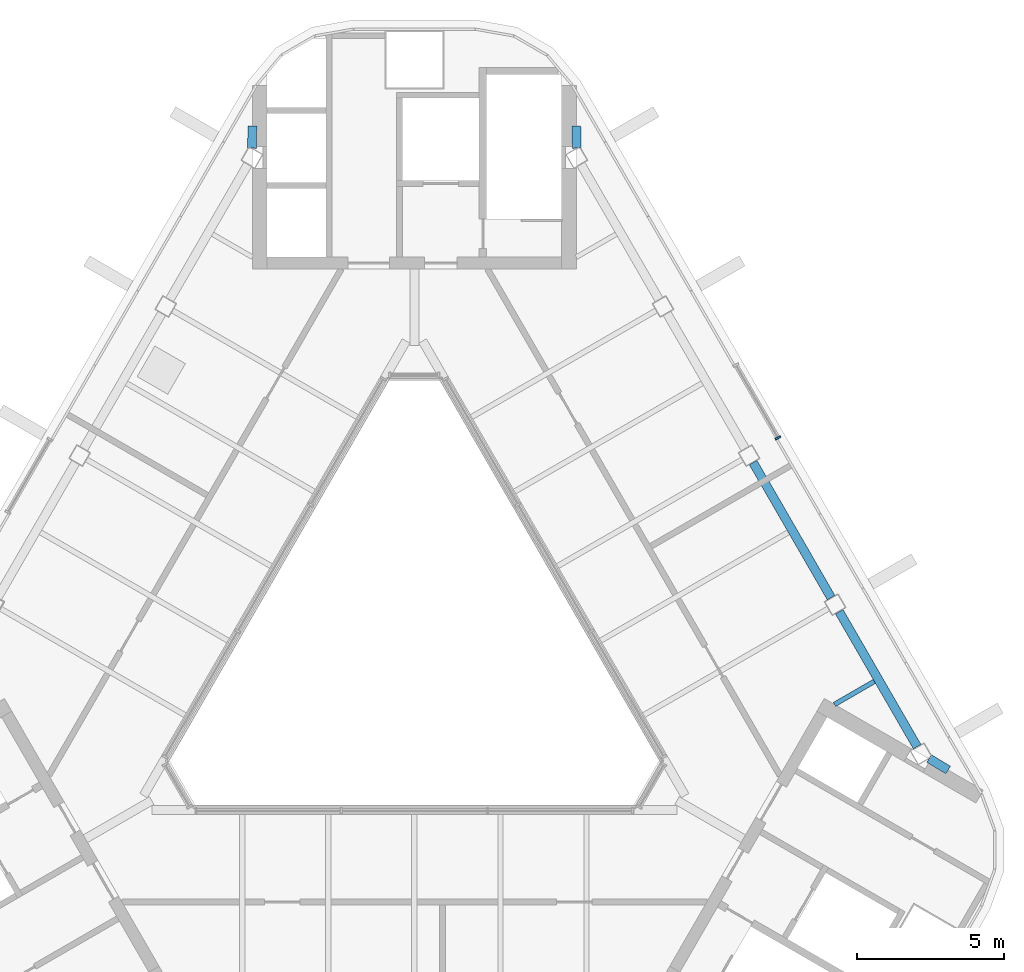
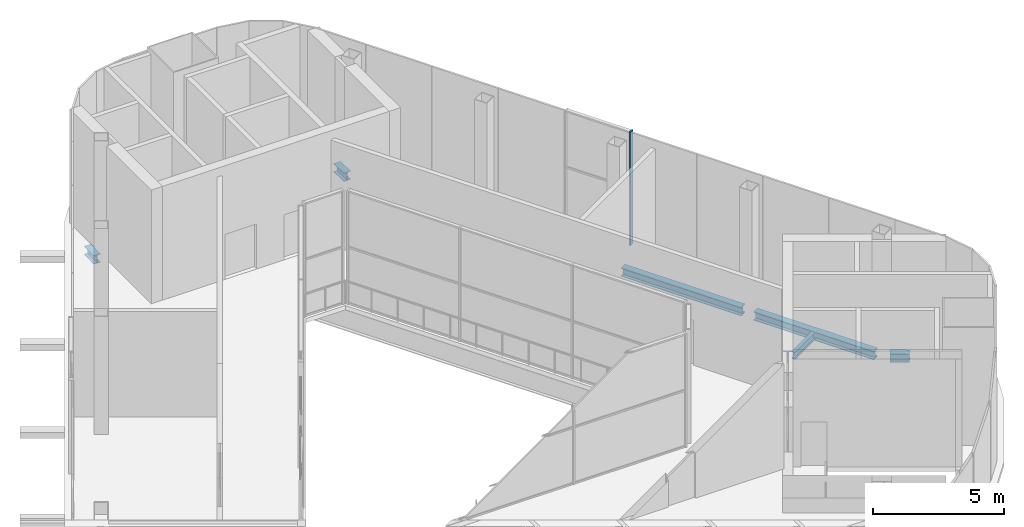
# One storey, part 4 of 9: 6 beams, 1 member, 1 element without a shape of its own.
"""IFC4 building model written with IfcOpenShell, lengths in metres."""

import ifcopenshell
import ifcopenshell.guid

model = None  # the IFC model being written
_history = None  # IfcOwnerHistory: only IFC2X3 demands one
_inside = {}  # id of a spatial element -> (the spatial element, [elements in it])
_under = {}  # id of a project, library or spatial element -> (it, [spatial elements below it])
_declared = {}  # id of a project -> (the project, [libraries it declares])
_typed = {}  # id of a type object -> (the type object, [elements of that type])
_made_of = {}  # id of a material, layer set ... -> (it, [elements and type objects made of it])


def new_model(schema):
    """Start an empty IFC model of exactly this schema.

    Asked for "IFC4X3", IfcOpenShell would pick the latest addendum, in which some entities
    have other attributes; the version numbers below select the first issue.
    IFC2X3 requires an IfcOwnerHistory on every rooted entity: one is made here for all.
    """
    global model, _history
    if schema == "IFC4X3":
        model = ifcopenshell.file(schema_version=(4, 3, 0, 0))
    else:
        model = ifcopenshell.file(schema=schema)
    _inside.clear()
    _under.clear()
    _declared.clear()
    _typed.clear()
    _made_of.clear()
    _history = None
    if model.schema == "IFC2X3":
        org = make("IfcOrganization", Name="unknown")
        user = make(
            "IfcPersonAndOrganization",
            ThePerson=make("IfcPerson", FamilyName="unknown"),
            TheOrganization=org,
        )
        app = make(
            "IfcApplication",
            ApplicationDeveloper=org,
            Version="unknown",
            ApplicationFullName="unknown",
            ApplicationIdentifier="unknown",
        )
        _history = make(
            "IfcOwnerHistory",
            OwningUser=user,
            OwningApplication=app,
            ChangeAction="ADDED",
            CreationDate=0,
        )
    return model


def make(cls, **values):
    """One entity of the class cls with the attributes given. An attribute that is None is left unset."""
    return model.create_entity(
        cls, **{name: value for name, value in values.items() if value is not None}
    )


def rooted(cls, **values):
    """An entity with a GlobalId (a new one), such as an element, a storey or a relation."""
    return make(cls, GlobalId=ifcopenshell.guid.new(), OwnerHistory=_history, **values)


def si_unit(unit_type, name, prefix=None):
    """IfcSIUnit, for example si_unit("LENGTHUNIT", "METRE", prefix="MILLI")."""
    return make("IfcSIUnit", UnitType=unit_type, Prefix=prefix, Name=name)


def assignment(units):
    """IfcUnitAssignment: the units of a project."""
    return None if units is None else make("IfcUnitAssignment", Units=units)


def point(xyz):
    """IfcCartesianPoint."""
    return None if xyz is None else make("IfcCartesianPoint", Coordinates=xyz)


def direction(xyz):
    """IfcDirection."""
    return None if xyz is None else make("IfcDirection", DirectionRatios=xyz)


def frame(location, z_axis=None, x_axis=None):
    """IfcAxis2Placement3D, a coordinate frame: its origin and axes. An axis left out is left unset."""
    return make(
        "IfcAxis2Placement3D",
        Location=point(location),
        Axis=direction(z_axis),
        RefDirection=direction(x_axis),
    )


def frame_2d(location, x_axis=None):
    """IfcAxis2Placement2D, a coordinate frame in the plane: its origin and x axis."""
    return make(
        "IfcAxis2Placement2D", Location=point(location), RefDirection=direction(x_axis)
    )


def origin():
    """The frame at (0, 0, 0) with its axes left unset."""
    return frame((0.0, 0.0, 0.0))


def origin_2d():
    """The frame at (0, 0) in the plane with its x axis left unset."""
    return frame_2d((0.0, 0.0))


def place(relative_to, where):
    """IfcLocalPlacement: puts the frame where relative to a parent placement (None: the world)."""
    return make(
        "IfcLocalPlacement", PlacementRelTo=relative_to, RelativePlacement=where
    )


def context(
    kind, dimensions, precision=None, world=None, true_north=None, identifier=None
):
    """IfcGeometricRepresentationContext, for example the 3D "Model" context."""
    return make(
        "IfcGeometricRepresentationContext",
        ContextIdentifier=identifier,
        ContextType=kind,
        CoordinateSpaceDimension=dimensions,
        Precision=precision,
        WorldCoordinateSystem=world,
        TrueNorth=true_north,
    )


def subcontext(parent, identifier, kind, view, scale=None):
    """IfcGeometricRepresentationSubContext, for example "Body" below "Model"."""
    return make(
        "IfcGeometricRepresentationSubContext",
        ContextIdentifier=identifier,
        ContextType=kind,
        ParentContext=parent,
        TargetScale=scale,
        TargetView=view,
    )


def project(units=None, contexts=None):
    """IfcProject with its units and contexts."""
    return rooted(
        "IfcProject",
        Name="project",
        RepresentationContexts=contexts,
        UnitsInContext=assignment(units),
    )


def spatial(cls, under=None, at=None, **own):
    """A site, building, storey or space (cls), placed at a placement, below another one or the project."""
    s = rooted(cls, ObjectPlacement=at, **own)
    if under is not None:
        _under.setdefault(under.id(), (under, []))[1].append(s)
    return s


def profile(cls, at=None, kind="AREA", **sizes):
    """A parametric profile (cls). Its sizes go by their IFC names, for example OverallWidth=200.0."""
    return make(cls, ProfileType=kind, Position=at, **sizes)


def rectangle(**sizes):
    """IfcRectangleProfileDef."""
    return profile("IfcRectangleProfileDef", **sizes)


def i_section(**sizes):
    """IfcIShapeProfileDef."""
    return profile("IfcIShapeProfileDef", **sizes)


def extrude(swept, where, along, depth):
    """IfcExtrudedAreaSolid: the profile swept, set in the frame where, extruded along a direction by depth."""
    return make(
        "IfcExtrudedAreaSolid",
        SweptArea=swept,
        Position=where,
        ExtrudedDirection=direction(along),
        Depth=depth,
    )


def shape(context_of_items, identifier, shape_type, items):
    """IfcShapeRepresentation: the items that make up one representation, for example the "Body"."""
    return make(
        "IfcShapeRepresentation",
        ContextOfItems=context_of_items,
        RepresentationIdentifier=identifier,
        RepresentationType=shape_type,
        Items=items,
    )


def material(Name=None, Category=None):
    """IfcMaterial."""
    return make("IfcMaterial", Name=Name, Category=Category)


def layer(
    of_material, thickness, ventilated=None, Name=None, Category=None, Priority=None
):
    """IfcMaterialLayer: one layer of a wall or slab, of a material (None: an air gap)."""
    return make(
        "IfcMaterialLayer",
        Material=of_material,
        LayerThickness=thickness,
        IsVentilated=ventilated,
        Name=Name,
        Category=Category,
        Priority=Priority,
    )


def layer_set(layers, Name=None):
    """IfcMaterialLayerSet."""
    return make("IfcMaterialLayerSet", MaterialLayers=layers, LayerSetName=Name)


def material_profile(
    of_material, cross_section, Name=None, Category=None, Priority=None
):
    """IfcMaterialProfile: a cross section and its material."""
    return make(
        "IfcMaterialProfile",
        Name=Name,
        Material=of_material,
        Profile=cross_section,
        Priority=Priority,
        Category=Category,
    )


def profile_set(profiles, Name=None, composite=None):
    """IfcMaterialProfileSet."""
    return make(
        "IfcMaterialProfileSet",
        Name=Name,
        MaterialProfiles=profiles,
        CompositeProfile=composite,
    )


def made_of(thing, what):
    """Note that an element or type object is made of a material, layer set ...; save() writes the relation."""
    if what is not None:
        _made_of.setdefault(what.id(), (what, []))[1].append(thing)
    return thing


def type_object(cls, material=None, **own):
    """A type object (cls), such as IfcWallType, which elements share."""
    return made_of(rooted(cls, **own), material)


def element(
    cls,
    number,
    at=None,
    inside=None,
    cuts=None,
    type_object=None,
    material=None,
    context=None,
    identifier="Body",
    shape_type=None,
    held_by="IfcProductDefinitionShape",
    body=None,
    shapes=None,
    **own,
):
    """One element of the class cls, such as IfcWall. Its Tag is "e" and its number.

    at: its placement. inside: the storey or other place that contains it. cuts: it is an
    opening in that element (IfcRelVoidsElement). A single representation is given by context,
    identifier, shape_type and body (its items); several are given by shapes. held_by: the class
    of the entity that holds the representations. save() writes the other relations.
    """
    e = rooted(cls, Tag="e%d" % number, ObjectPlacement=at, **own)
    if body is not None:
        shapes = [shape(context, identifier, shape_type, body)]
    if shapes is not None:
        e.Representation = make(held_by, Representations=shapes)
    if inside is not None:
        _inside.setdefault(inside.id(), (inside, []))[1].append(e)
    if cuts is not None:
        rooted(
            "IfcRelVoidsElement", RelatingBuildingElement=cuts, RelatedOpeningElement=e
        )
    if type_object is not None:
        _typed.setdefault(type_object.id(), (type_object, []))[1].append(e)
    return made_of(e, material)


def aggregate(whole, parts):
    """IfcRelAggregates: a whole, such as a stair, and the parts it consists of."""
    return rooted("IfcRelAggregates", RelatingObject=whole, RelatedObjects=parts)


def save(model, path):
    """Write the relations noted so far, then the file.

    IfcRelAggregates (storeys below a building ...), IfcRelContainedInSpatialStructure (elements
    in a storey), IfcRelDefinesByType, IfcRelAssociatesMaterial and IfcRelDeclares: one each for
    every whole, place, type object, material and project.
    """
    for whole, parts in _under.values():
        aggregate(whole, parts)
    for where, things in _inside.values():
        rooted(
            "IfcRelContainedInSpatialStructure",
            RelatedElements=things,
            RelatingStructure=where,
        )
    for kind, things in _typed.values():
        rooted("IfcRelDefinesByType", RelatedObjects=things, RelatingType=kind)
    for what, things in _made_of.values():
        rooted("IfcRelAssociatesMaterial", RelatedObjects=things, RelatingMaterial=what)
    for by, libraries in _declared.values():
        rooted("IfcRelDeclares", RelatingContext=by, RelatedDefinitions=libraries)
    model.write(path)


model = new_model("IFC4")

# Units and contexts
model_context = context("Model", 3, precision=1e-05, world=origin(), true_north=direction((0.0, 1.0)))
body_context = subcontext(model_context, "Body", "Model", "MODEL_VIEW")
ifc_project = project(units=[si_unit("LENGTHUNIT", "METRE"), si_unit("AREAUNIT", "SQUARE_METRE"), si_unit("VOLUMEUNIT", "CUBIC_METRE"), si_unit("PLANEANGLEUNIT", "RADIAN"), si_unit("MASSUNIT", "GRAM", prefix="KILO")], contexts=[model_context])

# Site, building, storey
site_placement = place(None, origin())
site = spatial("IfcSite", under=ifc_project, at=site_placement, CompositionType="ELEMENT")
building_placement = place(site_placement, origin())
building = spatial("IfcBuilding", under=site, at=building_placement, Name="Apuvela Tower Hotel", CompositionType="ELEMENT")
storey_placement = place(building_placement, frame((0.0, 0.0, 343.300048828125)))
storey = spatial("IfcBuildingStorey", under=building, at=storey_placement, Name="R-1 ROOF", CompositionType="ELEMENT", Elevation=343.300048828125)

# Curtain wall, member
ifc_material_1 = material(Name="Aluminium 6063-T6, dark bronze anodised", Category="aluminium")
ifc_layer = layer(ifc_material_1, 0.199951171875)
ifc_layer_set = layer_set([ifc_layer], Name="ENV-CW-C")
curtain_wall_type = type_object("IfcCurtainWallType", Name="ENV-CW-C", PredefinedType="NOTDEFINED", material=ifc_layer_set)
curtain_wall_placement = place(storey_placement, origin())
curtain_wall = element("IfcCurtainWall", 1, at=curtain_wall_placement, inside=storey, type_object=curtain_wall_type, Name="Crown glazing 46 R-1 ROOF", PredefinedType="NOTDEFINED")
ifc_material_profile_1 = material_profile(ifc_material_1, rectangle(XDim=0.199951171875, YDim=0.06494140625, at=origin_2d()), Name="AL 65x200")
ifc_profile_set_1 = profile_set([ifc_material_profile_1], Name="Aluminium 6063-T6, dark bronze anodised")
member_type = type_object("IfcMemberType", Name="ENV-MULLION-65x200", PredefinedType="MULLION", material=ifc_profile_set_1)
member_placement = place(storey_placement, frame((12.347412109375, 7.166259765625, 0.0), z_axis=(0.0, 0.0, 1.0), x_axis=(-0.866021760657, -0.500006310028, 0.0)))
member = element("IfcMember", 2, at=member_placement, type_object=member_type, Name="CW-C mullion 1", PredefinedType="MULLION", context=body_context, shape_type="SweptSolid", body=[
    extrude(rectangle(XDim=0.199951171875, YDim=0.06494140625, at=origin_2d()), origin(), (0.0, 0.0, 1.0), 5.300048828125),
])
aggregate(curtain_wall, [member])

# Beams
ifc_material_2 = material(Name="Steel S355", Category="steel")
ifc_material_profile_2 = material_profile(ifc_material_2, i_section(OverallWidth=0.159912109375, OverallDepth=0.330078125, WebThickness=0.007568359375, FlangeThickness=0.011474609375, at=origin_2d()), Name="IPE 330")
ifc_profile_set_2 = profile_set([ifc_material_profile_2], Name="Steel S355")
beam_type_1 = type_object("IfcBeamType", Name="STR-B floor beam IPE 330", PredefinedType="BEAM", material=ifc_profile_set_2)
beam_1_placement = place(storey_placement, frame((15.622314453125, -1.106201171875, -0.364990234375), z_axis=(-0.866042488821, -0.49997040668, 0.0), x_axis=(0.49997040668, -0.866042488821, 0.0)))
element("IfcBeam", 3, at=beam_1_placement, inside=storey, type_object=beam_type_1, Name="Floor beam B1 NE2", PredefinedType="BEAM", context=body_context, shape_type="SweptSolid", body=[
    extrude(i_section(OverallWidth=0.159912109375, OverallDepth=0.330078125, WebThickness=0.007568359375, FlangeThickness=0.011474609375, at=origin_2d()), origin(), (0.0, 0.0, 1.0), 1.5625),
])
ifc_material_profile_3 = material_profile(ifc_material_2, i_section(OverallWidth=0.300048828125, OverallDepth=0.389892578125, WebThickness=0.010986328125, FlangeThickness=0.01904296875, at=origin_2d()), Name="HE 400 A")
ifc_profile_set_3 = profile_set([ifc_material_profile_3], Name="Steel S355")
beam_type_2 = type_object("IfcBeamType", Name="STR-SB spandrel beam HE 400 A", PredefinedType="SPANDREL", material=ifc_profile_set_3)
beam_2_placement = place(storey_placement, frame((17.076171875, -3.32421875, -0.39501953125), z_axis=(-0.500031041629, 0.86600748115, 0.0), x_axis=(-0.86600748115, -0.500031041629, 0.0)))
element("IfcBeam", 4, at=beam_2_placement, inside=storey, type_object=beam_type_2, Name="Spandrel beam SB4 NE1", PredefinedType="SPANDREL", context=body_context, shape_type="SweptSolid", body=[
    extrude(i_section(OverallWidth=0.300048828125, OverallDepth=0.389892578125, WebThickness=0.010986328125, FlangeThickness=0.01904296875, at=origin_2d()), origin(), (0.0, 0.0, 1.0), 5.296142578125),
])
beam_3_placement = place(storey_placement, frame((14.153076171875, 1.738525390625, -0.39501953125), z_axis=(-0.499996467947, 0.866027443007, 0.0), x_axis=(-0.866027443007, -0.499996467947, 0.0)))
element("IfcBeam", 5, at=beam_3_placement, inside=storey, type_object=beam_type_2, Name="Spandrel beam SB4 NE2", PredefinedType="SPANDREL", context=body_context, shape_type="SweptSolid", body=[
    extrude(i_section(OverallWidth=0.300048828125, OverallDepth=0.389892578125, WebThickness=0.010986328125, FlangeThickness=0.01904296875, at=origin_2d()), origin(), (0.0, 0.0, 1.0), 5.2958984375),
])
beam_4_placement = place(storey_placement, frame((17.482421875, -3.724853515625, -0.39501953125), z_axis=(0.855658607708, -0.517540671884, 0.0), x_axis=(0.517540671884, 0.855658607708, 0.0)))
element("IfcBeam", 6, at=beam_4_placement, inside=storey, type_object=beam_type_2, Name="Spandrel beam SB4 NE1-SE", PredefinedType="SPANDREL", context=body_context, shape_type="SweptSolid", body=[
    extrude(i_section(OverallWidth=0.300048828125, OverallDepth=0.389892578125, WebThickness=0.010986328125, FlangeThickness=0.01904296875, at=origin_2d()), origin(), (0.0, 0.0, 1.0), 0.75390625),
])
for number, where, z_axis, x_axis, name in (
    (7, (5.515380859375, 17.00244140625, -0.39501953125), (-0.020397309927, 0.999791953232, 0.0), (-0.999791953232, -0.020397309927, 0.0), "Spandrel beam SB4 NE5-N"),
    (8, (-5.515380859375, 17.00244140625, -0.39501953125), (0.020397309927, 0.999791953232, 0.0), (-0.999791953232, 0.020397309927, 0.0), "Spandrel beam SB4 NW1-N"),
):
    element("IfcBeam", number, at=place(storey_placement, frame(where, z_axis=z_axis, x_axis=x_axis)), inside=storey, type_object=beam_type_2, Name=name, PredefinedType="SPANDREL", context=body_context, shape_type="SweptSolid", body=[
        extrude(i_section(OverallWidth=0.300048828125, OverallDepth=0.389892578125, WebThickness=0.010986328125, FlangeThickness=0.01904296875, at=origin_2d()), origin(), (0.0, 0.0, 1.0), 0.754150390625),
    ])

save(model, "model.ifc")
